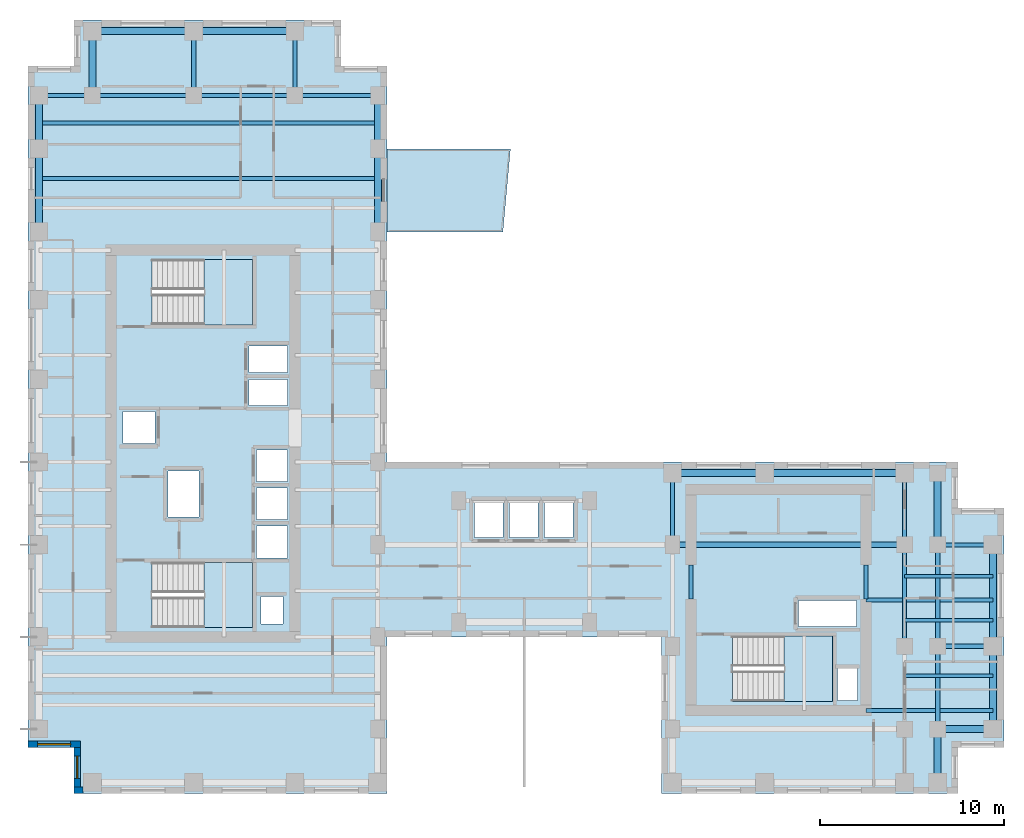
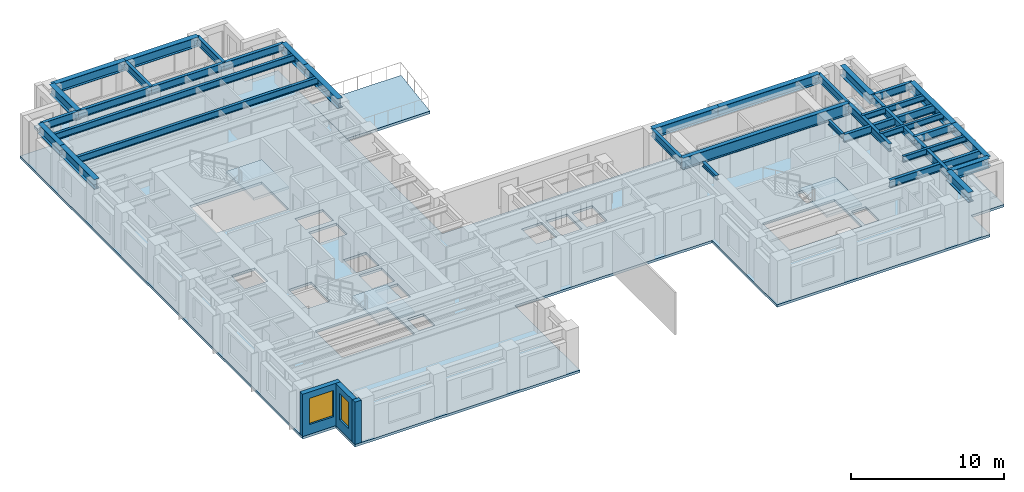
# One storey, part 2 of 11: 37 beams, 5 slabs, 3 walls, 2 windows, 2 openings, 3 elements without a shape of their own.
"""IFC4 building model written with IfcOpenShell, lengths in metres."""

from ifc_helpers import new_model, si_unit, direction, frame, frame_2d, origin, origin_2d, place, context, subcontext, project, spatial, polyline, rectangle, i_section, outline, extrude, source, transform, mapped, material, layer, layer_set, material_profile, profile_set, type_object, element, fill, aggregate, save


model = new_model("IFC4")

# Units and contexts
model_context = context("Model", 3, precision=1e-05, world=origin(), true_north=direction((0.0, 1.0)))
body_context = subcontext(model_context, "Body", "Model", "MODEL_VIEW")
ifc_project = project(units=[si_unit("LENGTHUNIT", "METRE"), si_unit("AREAUNIT", "SQUARE_METRE"), si_unit("VOLUMEUNIT", "CUBIC_METRE"), si_unit("PLANEANGLEUNIT", "RADIAN"), si_unit("MASSUNIT", "GRAM", prefix="KILO")], contexts=[model_context])

# Site, building, storey
site_placement = place(None, origin())
site = spatial("IfcSite", under=ifc_project, at=site_placement, CompositionType="ELEMENT")
building_placement = place(site_placement, origin())
building = spatial("IfcBuilding", under=site, at=building_placement, Name="Kharzan Plaza Tower", CompositionType="ELEMENT")
storey_placement = place(building_placement, frame((0.0, 0.0, 171.89990234375)))
storey = spatial("IfcBuildingStorey", under=building, at=storey_placement, Name="L46", CompositionType="ELEMENT", Elevation=171.89990234375)

# Beams
ifc_material_1 = material(Name="Steel S355", Category="steel")
ifc_material_profile_1 = material_profile(ifc_material_1, i_section(OverallWidth=0.205078125, OverallDepth=0.35400390625, WebThickness=0.009521484375, FlangeThickness=0.016845703125, at=origin_2d()), Name="W360x79")
ifc_profile_set_1 = profile_set([ifc_material_profile_1], Name="Steel S355")
beam_type_1 = type_object("IfcBeamType", Name="BM-LNT360", PredefinedType="LINTEL", material=ifc_profile_set_1)
shared_shape_1 = source(origin(), body_context, "Body", "SweptSolid", [
    extrude(i_section(OverallWidth=0.205078125, OverallDepth=0.35400390625, WebThickness=0.009521484375, FlangeThickness=0.016845703125, at=origin_2d()), origin(), (0.0, 0.0, 1.0), 1.849853515625),
])
for number, where, z_axis, x_axis, name in (
    (1, (45.5, 10.550048828125, 3.22314453125), (0.0, 1.0, 0.0), (-1.0, 0.0, 0.0), "L46 CORE-B coupling lintel LN1-WE"),
    (2, (36.0, 10.550048828125, 3.22314453125), (0.0, 1.0, 0.0), (-1.0, 0.0, 0.0), "L46 CORE-B coupling lintel LN1-WW"),
):
    element("IfcBeam", number, at=place(storey_placement, frame(where, z_axis=z_axis, x_axis=x_axis)), inside=storey, type_object=beam_type_1, Name=name, PredefinedType="LINTEL", context=body_context, shape_type="MappedRepresentation", body=[
        mapped(shared_shape_1, transform((0.0, 0.0, 0.0), x_axis=(1.0, 0.0, 0.0), y_axis=(0.0, 1.0, 0.0), z_axis=(0.0, 0.0, 1.0))),
    ])
ifc_material_profile_2 = material_profile(ifc_material_1, i_section(OverallWidth=0.304931640625, OverallDepth=0.9189453125, WebThickness=0.017333984375, FlangeThickness=0.02783203125, at=origin_2d()), Name="W920x253")
ifc_profile_set_2 = profile_set([ifc_material_profile_2], Name="Steel S355")
beam_type_2 = type_object("IfcBeamType", Name="BM-FG920B", PredefinedType="BEAM", material=ifc_profile_set_2)
shared_shape_2 = source(origin(), body_context, "Body", "SweptSolid", [
    extrude(i_section(OverallWidth=0.304931640625, OverallDepth=0.9189453125, WebThickness=0.017333984375, FlangeThickness=0.02783203125, at=origin_2d()), origin(), (0.0, 0.0, 1.0), 12.60009765625),
])
beam_1_placement = place(storey_placement, frame((35.0, 13.5, 2.940673828125), z_axis=(1.0, 0.0, 0.0), x_axis=(0.0, 1.0, 0.0)))
element("IfcBeam", 3, at=beam_1_placement, inside=storey, type_object=beam_type_2, Name="L46 Primary Floor Girder", PredefinedType="BEAM", context=body_context, shape_type="MappedRepresentation", body=[
    mapped(shared_shape_2, transform((0.0, 0.0, 0.0), x_axis=(1.0, 0.0, 0.0), y_axis=(0.0, 1.0, 0.0), z_axis=(0.0, 0.0, 1.0))),
])
ifc_material_profile_3 = material_profile(ifc_material_1, i_section(OverallWidth=0.2099609375, OverallDepth=0.537109375, WebThickness=0.010986328125, FlangeThickness=0.017333984375, at=origin_2d()), Name="W530x101")
ifc_profile_set_3 = profile_set([ifc_material_profile_3], Name="Steel S355")
beam_type_3 = type_object("IfcBeamType", Name="BM-JST530B", PredefinedType="JOIST", material=ifc_profile_set_3)
shared_shape_3 = source(origin(), body_context, "Body", "SweptSolid", [
    extrude(i_section(OverallWidth=0.2099609375, OverallDepth=0.537109375, WebThickness=0.010986328125, FlangeThickness=0.017333984375, at=origin_2d()), origin(), (0.0, 0.0, 1.0), 18.39990234375),
])
for number, where, z_axis, x_axis, name in (
    (4, (0.60009765625, 33.39990234375, 3.131591796875), (1.0, 0.0, 0.0), (0.0, 1.0, 0.0), "L46 Wing A Composite Joist 05"),
    (5, (0.60009765625, 36.39990234375, 3.131591796875), (1.0, 0.0, 0.0), (0.0, 1.0, 0.0), "L46 Wing A Composite Joist 06"),
):
    element("IfcBeam", number, at=place(storey_placement, frame(where, z_axis=z_axis, x_axis=x_axis)), inside=storey, type_object=beam_type_3, Name=name, PredefinedType="JOIST", context=body_context, shape_type="MappedRepresentation", body=[
        mapped(shared_shape_3, transform((0.0, 0.0, 0.0), x_axis=(1.0, 0.0, 0.0), y_axis=(0.0, 1.0, 0.0), z_axis=(0.0, 0.0, 1.0))),
    ])
ifc_material_profile_4 = material_profile(ifc_material_1, i_section(OverallWidth=0.22900390625, OverallDepth=0.612060546875, WebThickness=0.011962890625, FlangeThickness=0.01953125, at=origin_2d()), Name="W610x125")
ifc_profile_set_4 = profile_set([ifc_material_profile_4], Name="Steel S355")
beam_type_4 = type_object("IfcBeamType", Name="BM-FG610B", PredefinedType="BEAM", material=ifc_profile_set_4)
shared_shape_4 = source(origin(), body_context, "Body", "SweptSolid", [
    extrude(i_section(OverallWidth=0.22900390625, OverallDepth=0.612060546875, WebThickness=0.011962890625, FlangeThickness=0.01953125, at=origin_2d()), origin(), (0.0, 0.0, 1.0), 4.5),
])
for number, where, z_axis, x_axis, name in (
    (6, (49.39990234375, 3.5, 3.093994140625), (0.0, 1.0, 0.0), (-1.0, 0.0, 0.0), "L46 Interior Frame Girder"),
    (7, (14.5, 37.89990234375, 3.093994140625), (1.0, 0.0, 0.0), (0.0, 1.0, 0.0), "L46 Primary Floor Girder"),
):
    element("IfcBeam", number, at=place(storey_placement, frame(where, z_axis=z_axis, x_axis=x_axis)), inside=storey, type_object=beam_type_4, Name=name, PredefinedType="BEAM", context=body_context, shape_type="MappedRepresentation", body=[
        mapped(shared_shape_4, transform((0.0, 0.0, 0.0), x_axis=(1.0, 0.0, 0.0), y_axis=(0.0, 1.0, 0.0), z_axis=(0.0, 0.0, 1.0))),
    ])
shared_shape_5 = source(origin(), body_context, "Body", "SweptSolid", [
    extrude(i_section(OverallWidth=0.22900390625, OverallDepth=0.612060546875, WebThickness=0.011962890625, FlangeThickness=0.01953125, at=origin_2d()), origin(), (0.0, 0.0, 1.0), 3.89990234375),
])
for number, where, z_axis, x_axis, name in (
    (8, (35.0, 13.5, 3.093994140625), (0.0, 1.0, 0.0), (-1.0, 0.0, 0.0), "L46 Interior Frame Girder"),
    (9, (47.60009765625, 13.5, 3.093994140625), (0.0, 1.0, 0.0), (-1.0, 0.0, 0.0), "L46 Interior Frame Girder"),
):
    element("IfcBeam", number, at=place(storey_placement, frame(where, z_axis=z_axis, x_axis=x_axis)), inside=storey, type_object=beam_type_4, Name=name, PredefinedType="BEAM", context=body_context, shape_type="MappedRepresentation", body=[
        mapped(shared_shape_5, transform((0.0, 0.0, 0.0), x_axis=(1.0, 0.0, 0.0), y_axis=(0.0, 1.0, 0.0), z_axis=(0.0, 0.0, 1.0))),
    ])
shared_shape_6 = source(origin(), body_context, "Body", "SweptSolid", [
    extrude(i_section(OverallWidth=0.22900390625, OverallDepth=0.612060546875, WebThickness=0.011962890625, FlangeThickness=0.01953125, at=origin_2d()), origin(), (0.0, 0.0, 1.0), 6.89990234375),
])
for number, where, z_axis, x_axis, name in (
    (10, (45.5, 4.5, 3.093994140625), (1.0, 0.0, 0.0), (0.0, 1.0, 0.0), "L46 Core-B East Floor Girder 1"),
    (11, (45.5, 10.5, 3.093994140625), (1.0, 0.0, 0.0), (0.0, 1.0, 0.0), "L46 Core-B East Floor Girder 2"),
):
    element("IfcBeam", number, at=place(storey_placement, frame(where, z_axis=z_axis, x_axis=x_axis)), inside=storey, type_object=beam_type_4, Name=name, PredefinedType="BEAM", context=body_context, shape_type="MappedRepresentation", body=[
        mapped(shared_shape_6, transform((0.0, 0.0, 0.0), x_axis=(1.0, 0.0, 0.0), y_axis=(0.0, 1.0, 0.0), z_axis=(0.0, 0.0, 1.0))),
    ])
shared_shape_7 = source(origin(), body_context, "Body", "SweptSolid", [
    extrude(i_section(OverallWidth=0.22900390625, OverallDepth=0.612060546875, WebThickness=0.011962890625, FlangeThickness=0.01953125, at=origin_2d()), origin(), (0.0, 0.0, 1.0), 3.5),
])
for number, where, z_axis, x_axis, name in (
    (12, (9.0, 37.89990234375, 3.093994140625), (0.0, 1.0, 0.0), (-1.0, 0.0, 0.0), "L46 Interior Frame Girder"),
    (13, (14.5, 37.89990234375, 3.093994140625), (0.0, 1.0, 0.0), (-1.0, 0.0, 0.0), "L46 Interior Frame Girder"),
):
    element("IfcBeam", number, at=place(storey_placement, frame(where, z_axis=z_axis, x_axis=x_axis)), inside=storey, type_object=beam_type_4, Name=name, PredefinedType="BEAM", context=body_context, shape_type="MappedRepresentation", body=[
        mapped(shared_shape_7, transform((0.0, 0.0, 0.0), x_axis=(1.0, 0.0, 0.0), y_axis=(0.0, 1.0, 0.0), z_axis=(0.0, 0.0, 1.0))),
    ])
shared_shape_8 = source(origin(), body_context, "Body", "SweptSolid", [
    extrude(i_section(OverallWidth=0.22900390625, OverallDepth=0.612060546875, WebThickness=0.011962890625, FlangeThickness=0.01953125, at=origin_2d()), origin(), (0.0, 0.0, 1.0), 5.5),
])
for number, where, z_axis, x_axis, name in (
    (14, (47.60009765625, 8.0, 3.093994140625), (0.0, 1.0, 0.0), (-1.0, 0.0, 0.0), "L46 Interior Frame Girder"),
    (15, (49.39990234375, 8.0, 3.093994140625), (0.0, 1.0, 0.0), (-1.0, 0.0, 0.0), "L46 Interior Frame Girder"),
    (16, (3.5, 37.89990234375, 3.093994140625), (1.0, 0.0, 0.0), (0.0, 1.0, 0.0), "L46 Primary Floor Girder"),
    (17, (9.0, 37.89990234375, 3.093994140625), (1.0, 0.0, 0.0), (0.0, 1.0, 0.0), "L46 Primary Floor Girder"),
):
    element("IfcBeam", number, at=place(storey_placement, frame(where, z_axis=z_axis, x_axis=x_axis)), inside=storey, type_object=beam_type_4, Name=name, PredefinedType="BEAM", context=body_context, shape_type="MappedRepresentation", body=[
        mapped(shared_shape_8, transform((0.0, 0.0, 0.0), x_axis=(1.0, 0.0, 0.0), y_axis=(0.0, 1.0, 0.0), z_axis=(0.0, 0.0, 1.0))),
    ])
shared_shape_9 = source(origin(), body_context, "Body", "SweptSolid", [
    extrude(i_section(OverallWidth=0.22900390625, OverallDepth=0.612060546875, WebThickness=0.011962890625, FlangeThickness=0.01953125, at=origin_2d()), origin(), (0.0, 0.0, 1.0), 2.89990234375),
])
beam_2_placement = place(storey_placement, frame((0.60009765625, 37.89990234375, 3.093994140625), z_axis=(1.0, 0.0, 0.0), x_axis=(0.0, 1.0, 0.0)))
element("IfcBeam", 18, at=beam_2_placement, inside=storey, type_object=beam_type_4, Name="L46 Primary Floor Girder", PredefinedType="BEAM", context=body_context, shape_type="MappedRepresentation", body=[
    mapped(shared_shape_9, transform((0.0, 0.0, 0.0), x_axis=(1.0, 0.0, 0.0), y_axis=(0.0, 1.0, 0.0), z_axis=(0.0, 0.0, 1.0))),
])
shared_shape_10 = source(origin(), body_context, "Body", "SweptSolid", [
    extrude(i_section(OverallWidth=0.22900390625, OverallDepth=0.612060546875, WebThickness=0.011962890625, FlangeThickness=0.01953125, at=origin_2d()), origin(), (0.0, 0.0, 1.0), 3.0),
])
for number, where, z_axis, x_axis, name in (
    (19, (49.39990234375, 8.0, 3.093994140625), (1.0, 0.0, 0.0), (0.0, 1.0, 0.0), "L46 Primary Floor Girder"),
    (20, (49.39990234375, 13.5, 3.093994140625), (1.0, 0.0, 0.0), (0.0, 1.0, 0.0), "L46 Primary Floor Girder"),
):
    element("IfcBeam", number, at=place(storey_placement, frame(where, z_axis=z_axis, x_axis=x_axis)), inside=storey, type_object=beam_type_4, Name=name, PredefinedType="BEAM", context=body_context, shape_type="MappedRepresentation", body=[
        mapped(shared_shape_10, transform((0.0, 0.0, 0.0), x_axis=(1.0, 0.0, 0.0), y_axis=(0.0, 1.0, 0.0), z_axis=(0.0, 0.0, 1.0))),
    ])
ifc_material_profile_5 = material_profile(ifc_material_1, i_section(OverallWidth=0.194091796875, OverallDepth=0.468994140625, WebThickness=0.011474609375, FlangeThickness=0.0205078125, at=origin_2d()), Name="W460x106")
ifc_profile_set_5 = profile_set([ifc_material_profile_5], Name="Steel S355")
beam_type_5 = type_object("IfcBeamType", Name="BM-JST460", PredefinedType="JOIST", material=ifc_profile_set_5)
shared_shape_11 = source(origin(), body_context, "Body", "SweptSolid", [
    extrude(i_section(OverallWidth=0.194091796875, OverallDepth=0.468994140625, WebThickness=0.011474609375, FlangeThickness=0.0205078125, at=origin_2d()), origin(), (0.0, 0.0, 1.0), 4.7998046875),
])
for number, where, z_axis, x_axis, name in (
    (21, (47.60009765625, 6.39990234375, 3.16552734375), (1.0, 0.0, 0.0), (0.0, 1.0, 0.0), "L46 Wing B Composite Joist 02"),
    (22, (47.60009765625, 9.39990234375, 3.16552734375), (1.0, 0.0, 0.0), (0.0, 1.0, 0.0), "L46 Wing B Composite Joist 03"),
    (23, (47.60009765625, 11.800048828125, 3.16552734375), (1.0, 0.0, 0.0), (0.0, 1.0, 0.0), "L46 Wing B Composite Joist 04"),
):
    element("IfcBeam", number, at=place(storey_placement, frame(where, z_axis=z_axis, x_axis=x_axis)), inside=storey, type_object=beam_type_5, Name=name, PredefinedType="JOIST", context=body_context, shape_type="MappedRepresentation", body=[
        mapped(shared_shape_11, transform((0.0, 0.0, 0.0), x_axis=(1.0, 0.0, 0.0), y_axis=(0.0, 1.0, 0.0), z_axis=(0.0, 0.0, 1.0))),
    ])
ifc_material_profile_6 = material_profile(ifc_material_1, i_section(OverallWidth=0.381103515625, OverallDepth=0.77294921875, WebThickness=0.0166015625, FlangeThickness=0.027587890625, at=origin_2d()), Name="W760x257")
ifc_profile_set_6 = profile_set([ifc_material_profile_6], Name="Steel S355")
beam_type_6 = type_object("IfcBeamType", Name="BM-SP760A", PredefinedType="SPANDREL", material=ifc_profile_set_6)
shared_shape_12 = source(origin(), body_context, "Body", "SweptSolid", [
    extrude(i_section(OverallWidth=0.381103515625, OverallDepth=0.77294921875, WebThickness=0.0166015625, FlangeThickness=0.027587890625, at=origin_2d()), origin(), (0.0, 0.0, 1.0), 5.0),
])
beam_3_placement = place(storey_placement, frame((35.0, 17.39990234375, 3.013671875), z_axis=(1.0, 0.0, 0.0), x_axis=(0.0, 1.0, 0.0)))
element("IfcBeam", 24, at=beam_3_placement, inside=storey, type_object=beam_type_6, Name="L46 Perimeter Tube Spandrel", PredefinedType="SPANDREL", context=body_context, shape_type="MappedRepresentation", body=[
    mapped(shared_shape_12, transform((0.0, 0.0, 0.0), x_axis=(1.0, 0.0, 0.0), y_axis=(0.0, 1.0, 0.0), z_axis=(0.0, 0.0, 1.0))),
])
shared_shape_13 = source(origin(), body_context, "Body", "SweptSolid", [
    extrude(i_section(OverallWidth=0.381103515625, OverallDepth=0.77294921875, WebThickness=0.0166015625, FlangeThickness=0.027587890625, at=origin_2d()), origin(), (0.0, 0.0, 1.0), 4.5),
])
for number, where, z_axis, x_axis, name in (
    (25, (0.60009765625, 30.5, 3.013671875), (0.0, 1.0, 0.0), (-1.0, 0.0, 0.0), "L46 Perimeter Tube Spandrel"),
    (26, (19.0, 30.5, 3.013671875), (0.0, 1.0, 0.0), (-1.0, 0.0, 0.0), "L46 Perimeter Tube Spandrel"),
    (27, (52.39990234375, 3.5, 3.013671875), (0.0, 1.0, 0.0), (-1.0, 0.0, 0.0), "L46 Perimeter Tube Spandrel"),
):
    element("IfcBeam", number, at=place(storey_placement, frame(where, z_axis=z_axis, x_axis=x_axis)), inside=storey, type_object=beam_type_6, Name=name, PredefinedType="SPANDREL", context=body_context, shape_type="MappedRepresentation", body=[
        mapped(shared_shape_13, transform((0.0, 0.0, 0.0), x_axis=(1.0, 0.0, 0.0), y_axis=(0.0, 1.0, 0.0), z_axis=(0.0, 0.0, 1.0))),
    ])
shared_shape_14 = source(origin(), body_context, "Body", "SweptSolid", [
    extrude(i_section(OverallWidth=0.381103515625, OverallDepth=0.77294921875, WebThickness=0.0166015625, FlangeThickness=0.027587890625, at=origin_2d()), origin(), (0.0, 0.0, 1.0), 2.89990234375),
])
for number, where, z_axis, x_axis, name in (
    (28, (0.60009765625, 35.0, 3.013671875), (0.0, 1.0, 0.0), (-1.0, 0.0, 0.0), "L46 Perimeter Tube Spandrel"),
    (29, (19.0, 35.0, 3.013671875), (0.0, 1.0, 0.0), (-1.0, 0.0, 0.0), "L46 Perimeter Tube Spandrel"),
    (30, (49.39990234375, 0.60009765625, 3.013671875), (0.0, 1.0, 0.0), (-1.0, 0.0, 0.0), "L46 Perimeter Tube Spandrel"),
):
    element("IfcBeam", number, at=place(storey_placement, frame(where, z_axis=z_axis, x_axis=x_axis)), inside=storey, type_object=beam_type_6, Name=name, PredefinedType="SPANDREL", context=body_context, shape_type="MappedRepresentation", body=[
        mapped(shared_shape_14, transform((0.0, 0.0, 0.0), x_axis=(1.0, 0.0, 0.0), y_axis=(0.0, 1.0, 0.0), z_axis=(0.0, 0.0, 1.0))),
    ])
shared_shape_15 = source(origin(), body_context, "Body", "SweptSolid", [
    extrude(i_section(OverallWidth=0.381103515625, OverallDepth=0.77294921875, WebThickness=0.0166015625, FlangeThickness=0.027587890625, at=origin_2d()), origin(), (0.0, 0.0, 1.0), 3.5),
])
beam_4_placement = place(storey_placement, frame((3.5, 37.89990234375, 3.013671875), z_axis=(0.0, 1.0, 0.0), x_axis=(-1.0, 0.0, 0.0)))
element("IfcBeam", 31, at=beam_4_placement, inside=storey, type_object=beam_type_6, Name="L46 Perimeter Tube Spandrel", PredefinedType="SPANDREL", context=body_context, shape_type="MappedRepresentation", body=[
    mapped(shared_shape_15, transform((0.0, 0.0, 0.0), x_axis=(1.0, 0.0, 0.0), y_axis=(0.0, 1.0, 0.0), z_axis=(0.0, 0.0, 1.0))),
])
shared_shape_16 = source(origin(), body_context, "Body", "SweptSolid", [
    extrude(i_section(OverallWidth=0.381103515625, OverallDepth=0.77294921875, WebThickness=0.0166015625, FlangeThickness=0.027587890625, at=origin_2d()), origin(), (0.0, 0.0, 1.0), 3.89990234375),
])
beam_5_placement = place(storey_placement, frame((49.39990234375, 13.5, 3.013671875), z_axis=(0.0, 1.0, 0.0), x_axis=(-1.0, 0.0, 0.0)))
element("IfcBeam", 32, at=beam_5_placement, inside=storey, type_object=beam_type_6, Name="L46 Perimeter Tube Spandrel", PredefinedType="SPANDREL", context=body_context, shape_type="MappedRepresentation", body=[
    mapped(shared_shape_16, transform((0.0, 0.0, 0.0), x_axis=(1.0, 0.0, 0.0), y_axis=(0.0, 1.0, 0.0), z_axis=(0.0, 0.0, 1.0))),
])
shared_shape_17 = source(origin(), body_context, "Body", "SweptSolid", [
    extrude(i_section(OverallWidth=0.381103515625, OverallDepth=0.77294921875, WebThickness=0.0166015625, FlangeThickness=0.027587890625, at=origin_2d()), origin(), (0.0, 0.0, 1.0), 5.5),
])
for number, where, z_axis, x_axis, name in (
    (33, (52.39990234375, 8.0, 3.013671875), (0.0, 1.0, 0.0), (-1.0, 0.0, 0.0), "L46 Perimeter Tube Spandrel"),
    (34, (3.5, 41.39990234375, 3.013671875), (1.0, 0.0, 0.0), (0.0, 1.0, 0.0), "L46 Perimeter Tube Spandrel"),
    (35, (9.0, 41.39990234375, 3.013671875), (1.0, 0.0, 0.0), (0.0, 1.0, 0.0), "L46 Perimeter Tube Spandrel"),
):
    element("IfcBeam", number, at=place(storey_placement, frame(where, z_axis=z_axis, x_axis=x_axis)), inside=storey, type_object=beam_type_6, Name=name, PredefinedType="SPANDREL", context=body_context, shape_type="MappedRepresentation", body=[
        mapped(shared_shape_17, transform((0.0, 0.0, 0.0), x_axis=(1.0, 0.0, 0.0), y_axis=(0.0, 1.0, 0.0), z_axis=(0.0, 0.0, 1.0))),
    ])
shared_shape_18 = source(origin(), body_context, "Body", "SweptSolid", [
    extrude(i_section(OverallWidth=0.381103515625, OverallDepth=0.77294921875, WebThickness=0.0166015625, FlangeThickness=0.027587890625, at=origin_2d()), origin(), (0.0, 0.0, 1.0), 7.60009765625),
])
beam_6_placement = place(storey_placement, frame((40.0, 17.39990234375, 3.013671875), z_axis=(1.0, 0.0, 0.0), x_axis=(0.0, 1.0, 0.0)))
element("IfcBeam", 36, at=beam_6_placement, inside=storey, type_object=beam_type_6, Name="L46 Perimeter Tube Spandrel", PredefinedType="SPANDREL", context=body_context, shape_type="MappedRepresentation", body=[
    mapped(shared_shape_18, transform((0.0, 0.0, 0.0), x_axis=(1.0, 0.0, 0.0), y_axis=(0.0, 1.0, 0.0), z_axis=(0.0, 0.0, 1.0))),
])
shared_shape_19 = source(origin(), body_context, "Body", "SweptSolid", [
    extrude(i_section(OverallWidth=0.381103515625, OverallDepth=0.77294921875, WebThickness=0.0166015625, FlangeThickness=0.027587890625, at=origin_2d()), origin(), (0.0, 0.0, 1.0), 3.0),
])
beam_7_placement = place(storey_placement, frame((49.39990234375, 3.5, 3.013671875), z_axis=(1.0, 0.0, 0.0), x_axis=(0.0, 1.0, 0.0)))
element("IfcBeam", 37, at=beam_7_placement, inside=storey, type_object=beam_type_6, Name="L46 Perimeter Tube Spandrel", PredefinedType="SPANDREL", context=body_context, shape_type="MappedRepresentation", body=[
    mapped(shared_shape_19, transform((0.0, 0.0, 0.0), x_axis=(1.0, 0.0, 0.0), y_axis=(0.0, 1.0, 0.0), z_axis=(0.0, 0.0, 1.0))),
])

# Slab
ifc_material_2 = material(Name="Concrete C40/50", Category="concrete")
ifc_layer_1 = layer(ifc_material_2, 0.199951171875)
ifc_layer_set_1 = layer_set([ifc_layer_1], Name="Concrete C40/50")
slab_type_1 = type_object("IfcSlabType", Name="SL-FLOOR-200", PredefinedType="FLOOR", material=ifc_layer_set_1)
slab_1_placement = place(storey_placement, frame((0.0, 0.0, -0.199951171875)))
element("IfcSlab", 38, at=slab_1_placement, inside=storey, type_object=slab_type_1, Name="L46 Composite Structural Floor Slab 200 mm", PredefinedType="FLOOR", context=body_context, shape_type="SweptSolid", body=[
    extrude(outline(polyline([(34.39990234375, 18.0), (19.5, 18.0), (19.5, 39.5), (17.0, 39.5), (17.0, 42.0), (2.5, 42.0), (2.5, 39.5), (0.0, 39.5), (0.0, 2.5), (2.5, 2.5), (2.5, 0.0), (19.5, 0.0), (19.5, 8.5), (34.39990234375, 8.5), (34.39990234375, 0.0), (50.5, 0.0), (50.5, 2.5), (53.0, 2.5), (53.0, 15.5), (50.5, 15.5), (50.5, 18.0), (34.39990234375, 18.0)]), holes=[polyline([(12.199951171875, 9.0), (12.199951171875, 12.550048828125), (6.75, 12.550048828125), (6.75, 9.0), (12.199951171875, 9.0)]), polyline([(14.10009765625, 12.800048828125), (14.10009765625, 14.530029296875), (12.39990234375, 14.530029296875), (12.39990234375, 12.800048828125), (14.10009765625, 12.800048828125)]), polyline([(14.10009765625, 14.8701171875), (14.10009765625, 16.60009765625), (12.39990234375, 16.60009765625), (12.39990234375, 14.8701171875), (14.10009765625, 14.8701171875)]), polyline([(9.300048828125, 15.0), (9.300048828125, 17.5), (7.60009765625, 17.5), (7.60009765625, 15.0), (9.300048828125, 15.0)]), polyline([(6.89990234375, 19.010009765625), (6.89990234375, 20.72998046875), (5.14990234375, 20.72998046875), (5.14990234375, 19.010009765625), (6.89990234375, 19.010009765625)]), polyline([(14.10009765625, 21.070068359375), (14.10009765625, 22.489990234375), (12.0, 22.489990234375), (12.0, 21.070068359375), (14.10009765625, 21.070068359375)]), polyline([(14.10009765625, 22.8701171875), (14.10009765625, 24.2900390625), (12.0, 24.2900390625), (12.0, 22.8701171875), (14.10009765625, 22.8701171875)]), polyline([(12.199951171875, 25.449951171875), (12.199951171875, 29.0), (6.75, 29.0), (6.75, 25.449951171875), (12.199951171875, 25.449951171875)]), polyline([(45.050048828125, 5.050048828125), (45.050048828125, 6.800048828125), (43.949951171875, 6.800048828125), (43.949951171875, 5.050048828125), (45.050048828125, 5.050048828125)]), polyline([(43.699951171875, 5.0), (43.699951171875, 8.550048828125), (38.25, 8.550048828125), (38.25, 5.0), (43.699951171875, 5.0)]), polyline([(45.0, 9.070068359375), (45.0, 10.469970703125), (41.85009765625, 10.469970703125), (41.85009765625, 9.070068359375), (45.0, 9.070068359375)]), polyline([(13.85009765625, 9.199951171875), (13.85009765625, 10.699951171875), (12.64990234375, 10.699951171875), (12.64990234375, 9.199951171875), (13.85009765625, 9.199951171875)]), polyline([(25.800048828125, 13.89990234375), (25.800048828125, 15.85009765625), (24.25, 15.85009765625), (24.25, 13.89990234375), (25.800048828125, 13.89990234375)]), polyline([(27.699951171875, 13.89990234375), (27.699951171875, 15.85009765625), (26.14990234375, 15.85009765625), (26.14990234375, 13.89990234375), (27.699951171875, 13.89990234375)]), polyline([(29.60009765625, 13.89990234375), (29.60009765625, 15.85009765625), (28.050048828125, 15.85009765625), (28.050048828125, 13.89990234375), (29.60009765625, 13.89990234375)]), polyline([(14.10009765625, 16.93994140625), (14.10009765625, 18.64990234375), (12.39990234375, 18.64990234375), (12.39990234375, 16.93994140625), (14.10009765625, 16.93994140625)])]), origin(), (0.0, 0.0, 1.0), 0.199951171875),
])

# Stair, slab
stair_type_1 = type_object("IfcStairType", Name="STR-ST-1", PredefinedType="HALF_TURN_STAIR", material=ifc_material_2)
stair_1_placement = place(storey_placement, origin())
stair_1 = element("IfcStair", 39, at=stair_1_placement, inside=storey, type_object=stair_type_1, Name="L46 Protected Exit Stair ST-1", PredefinedType="HALF_TURN_STAIR")
ifc_layer_2 = layer(ifc_material_2, 0.219970703125)
ifc_layer_set_2 = layer_set([ifc_layer_2], Name="Concrete C40/50")
slab_type_2 = type_object("IfcSlabType", Name="SL-LANDING-220", PredefinedType="LANDING", material=ifc_layer_set_2)
slab_2_placement = place(storey_placement, frame((0.0, 0.0, 1.60009765625)))
slab_2 = element("IfcSlab", 40, at=slab_2_placement, type_object=slab_type_2, Name="ST-1 landing 1", PredefinedType="LANDING", context=body_context, shape_type="SweptSolid", body=[
    extrude(outline(polyline([(9.550048828125, 9.0), (12.199951171875, 9.0), (12.199951171875, 12.550048828125), (9.550048828125, 12.550048828125), (9.550048828125, 9.0)])), origin(), (0.0, 0.0, 1.0), 0.199951171875),
])
aggregate(stair_1, [slab_2])

stair_type_2 = type_object("IfcStairType", Name="STR-ST-2", PredefinedType="HALF_TURN_STAIR", material=ifc_material_2)
stair_2_placement = place(storey_placement, origin())
stair_2 = element("IfcStair", 41, at=stair_2_placement, inside=storey, type_object=stair_type_2, Name="L46 Protected Exit Stair ST-2", PredefinedType="HALF_TURN_STAIR")
slab_3_placement = place(storey_placement, frame((0.0, 0.0, 1.60009765625)))
slab_3 = element("IfcSlab", 42, at=slab_3_placement, type_object=slab_type_2, Name="ST-2 landing 1", PredefinedType="LANDING", context=body_context, shape_type="SweptSolid", body=[
    extrude(outline(polyline([(9.550048828125, 25.449951171875), (12.199951171875, 25.449951171875), (12.199951171875, 29.0), (9.550048828125, 29.0), (9.550048828125, 25.449951171875)])), origin(), (0.0, 0.0, 1.0), 0.199951171875),
])
aggregate(stair_2, [slab_3])

stair_type_3 = type_object("IfcStairType", Name="STR-ST-3", PredefinedType="HALF_TURN_STAIR", material=ifc_material_2)
stair_3_placement = place(storey_placement, origin())
stair_3 = element("IfcStair", 43, at=stair_3_placement, inside=storey, type_object=stair_type_3, Name="L46 Protected Exit Stair ST-3", PredefinedType="HALF_TURN_STAIR")
slab_4_placement = place(storey_placement, frame((0.0, 0.0, 1.60009765625)))
slab_4 = element("IfcSlab", 44, at=slab_4_placement, type_object=slab_type_2, Name="ST-3 landing 1", PredefinedType="LANDING", context=body_context, shape_type="SweptSolid", body=[
    extrude(outline(polyline([(41.050048828125, 5.0), (43.699951171875, 5.0), (43.699951171875, 8.550048828125), (41.050048828125, 8.550048828125), (41.050048828125, 5.0)])), origin(), (0.0, 0.0, 1.0), 0.199951171875),
])
aggregate(stair_3, [slab_4])

# Slab
ifc_layer_3 = layer(ifc_material_2, 0.215087890625)
ifc_layer_set_3 = layer_set([ifc_layer_3], Name="Concrete C40/50")
slab_type_3 = type_object("IfcSlabType", Name="SL-TRAY-215", PredefinedType="ROOF", material=ifc_layer_set_3)
slab_5_placement = place(storey_placement, frame((0.0, 0.0, -0.21484375)))
element("IfcSlab", 45, at=slab_5_placement, inside=storey, type_object=slab_type_3, Name="L46 Sky Terrace Tray Slab", PredefinedType="ROOF", context=body_context, shape_type="SweptSolid", body=[
    extrude(outline(polyline([(19.5, 30.5), (25.7900390625, 30.5), (26.199951171875, 35.0), (19.5, 35.0), (19.5, 30.5)])), origin(), (0.0, 0.0, 1.0), 0.21484375),
])

# Wall, opening, window
ifc_layer_4 = layer(ifc_material_2, 0.35009765625)
ifc_layer_set_4 = layer_set([ifc_layer_4], Name="Concrete C40/50")
wall_type = type_object("IfcWallType", Name="WL-EXT-MAS-Z3", PredefinedType="SOLIDWALL", material=ifc_layer_set_4)
wall_1_placement = place(storey_placement, frame((0.0, 2.675048828125, 0.0), z_axis=(0.0, 0.0, 1.0), x_axis=(1.0, 0.0, 0.0)))
wall_1 = element("IfcWall", 46, at=wall_1_placement, inside=storey, type_object=wall_type, Name="L46 Masonry-Frame Exterior Wall 18", PredefinedType="SOLIDWALL", context=body_context, shape_type="SweptSolid", body=[
    extrude(rectangle(XDim=2.85009765625, YDim=0.35009765625, at=frame_2d((1.425048828125, 0.0))), origin(), (0.0, 0.0, 1.0), 3.385009765625),
])
opening_1_placement = place(wall_1_placement, frame((0.52490234375, 0.0, 0.780029296875)))
opening_1 = element("IfcOpeningElement", 47, at=opening_1_placement, cuts=wall_1, Name="Opening W1", PredefinedType="OPENING", context=body_context, shape_type="SweptSolid", body=[
    extrude(rectangle(XDim=1.800048828125, YDim=2.10009765625, at=frame_2d((0.89990234375, 1.050048828125))), frame((0.0, 0.18505859375, 0.0), z_axis=(0.0, -1.0, 0.0), x_axis=(1.0, 0.0, 0.0)), (0.0, 0.0, 1.0), 0.3701171875),
])
ifc_material_3 = material(Name="Low-E Double Glazing", Category="glass")
window_type_1 = type_object("IfcWindowType", Name="WN-REC-1800x2100", PartitioningType="SINGLE_PANEL", PredefinedType="WINDOW", material=ifc_material_3)
shared_shape_20 = source(origin(), body_context, "Body", "SweptSolid", [
    extrude(rectangle(XDim=1.800048828125, YDim=2.10009765625, at=frame_2d((0.89990234375, 1.050048828125))), frame((0.0, 0.030029296875, 0.0), z_axis=(0.0, -1.0, 0.0), x_axis=(1.0, 0.0, 0.0)), (0.0, 0.0, 1.0), 0.06005859375),
])
window_1_placement = place(opening_1_placement, origin())
window_1 = element("IfcWindow", 48, at=window_1_placement, inside=storey, type_object=window_type_1, Name="L46 Recessed Solar-Control Window 18-1", OverallHeight=2.10009765625, OverallWidth=1.800048828125, PartitioningType="SINGLE_PANEL", PredefinedType="WINDOW", context=body_context, shape_type="MappedRepresentation", body=[
    mapped(shared_shape_20, transform((0.0, 0.0, 0.0), x_axis=(1.0, 0.0, 0.0), y_axis=(0.0, 1.0, 0.0), z_axis=(0.0, 0.0, 1.0))),
])
fill(opening_1, window_1)

wall_2_placement = place(storey_placement, frame((2.675048828125, 2.501953125, 0.0), z_axis=(0.0, 0.0, 1.0), x_axis=(0.0, -1.0, 0.0)))
wall_2 = element("IfcWall", 49, at=wall_2_placement, inside=storey, type_object=wall_type, Name="L46 Masonry-Frame Exterior Wall 19", PredefinedType="SOLIDWALL", context=body_context, shape_type="SweptSolid", body=[
    extrude(rectangle(XDim=2.154052734375, YDim=0.35009765625, at=frame_2d((1.0771484375, 0.0))), origin(), (0.0, 0.0, 1.0), 3.385009765625),
])
opening_2_placement = place(wall_2_placement, frame((0.47705078125, 0.0, 0.780029296875)))
opening_2 = element("IfcOpeningElement", 50, at=opening_2_placement, cuts=wall_2, Name="Opening W3", PredefinedType="OPENING", context=body_context, shape_type="SweptSolid", body=[
    extrude(rectangle(XDim=1.199951171875, YDim=2.10009765625, at=frame_2d((0.60009765625, 1.050048828125))), frame((0.0, 0.18505859375, 0.0), z_axis=(0.0, -1.0, 0.0), x_axis=(1.0, 0.0, 0.0)), (0.0, 0.0, 1.0), 0.3701171875),
])
window_type_2 = type_object("IfcWindowType", Name="WN-REC-1200x2100", PartitioningType="SINGLE_PANEL", PredefinedType="WINDOW", material=ifc_material_3)
shared_shape_21 = source(origin(), body_context, "Body", "SweptSolid", [
    extrude(rectangle(XDim=1.199951171875, YDim=2.10009765625, at=frame_2d((0.60009765625, 1.050048828125))), frame((0.0, 0.030029296875, 0.0), z_axis=(0.0, -1.0, 0.0), x_axis=(1.0, 0.0, 0.0)), (0.0, 0.0, 1.0), 0.06005859375),
])
window_2_placement = place(opening_2_placement, origin())
window_2 = element("IfcWindow", 51, at=window_2_placement, inside=storey, type_object=window_type_2, Name="L46 Recessed Solar-Control Window 19-1", OverallHeight=2.10009765625, OverallWidth=1.199951171875, PartitioningType="SINGLE_PANEL", PredefinedType="WINDOW", context=body_context, shape_type="MappedRepresentation", body=[
    mapped(shared_shape_21, transform((0.0, 0.0, 0.0), x_axis=(1.0, 0.0, 0.0), y_axis=(0.0, 1.0, 0.0), z_axis=(0.0, 0.0, 1.0))),
])
fill(opening_2, window_2)

# Wall
shared_shape_22 = source(origin(), body_context, "Body", "SweptSolid", [
    extrude(rectangle(XDim=0.501953125, YDim=0.35009765625, at=frame_2d((0.2509765625, 0.0))), origin(), (0.0, 0.0, 1.0), 3.385009765625),
])
wall_3_placement = place(storey_placement, frame((2.5, 0.175048828125, 0.0), z_axis=(0.0, 0.0, 1.0), x_axis=(1.0, 0.0, 0.0)))
element("IfcWall", 52, at=wall_3_placement, inside=storey, type_object=wall_type, Name="L46 Masonry-Frame Exterior Wall 20", PredefinedType="SOLIDWALL", context=body_context, shape_type="MappedRepresentation", body=[
    mapped(shared_shape_22, transform((0.0, 0.0, 0.0), x_axis=(1.0, 0.0, 0.0), y_axis=(0.0, 1.0, 0.0), z_axis=(0.0, 0.0, 1.0))),
])

save(model, "model.ifc")
